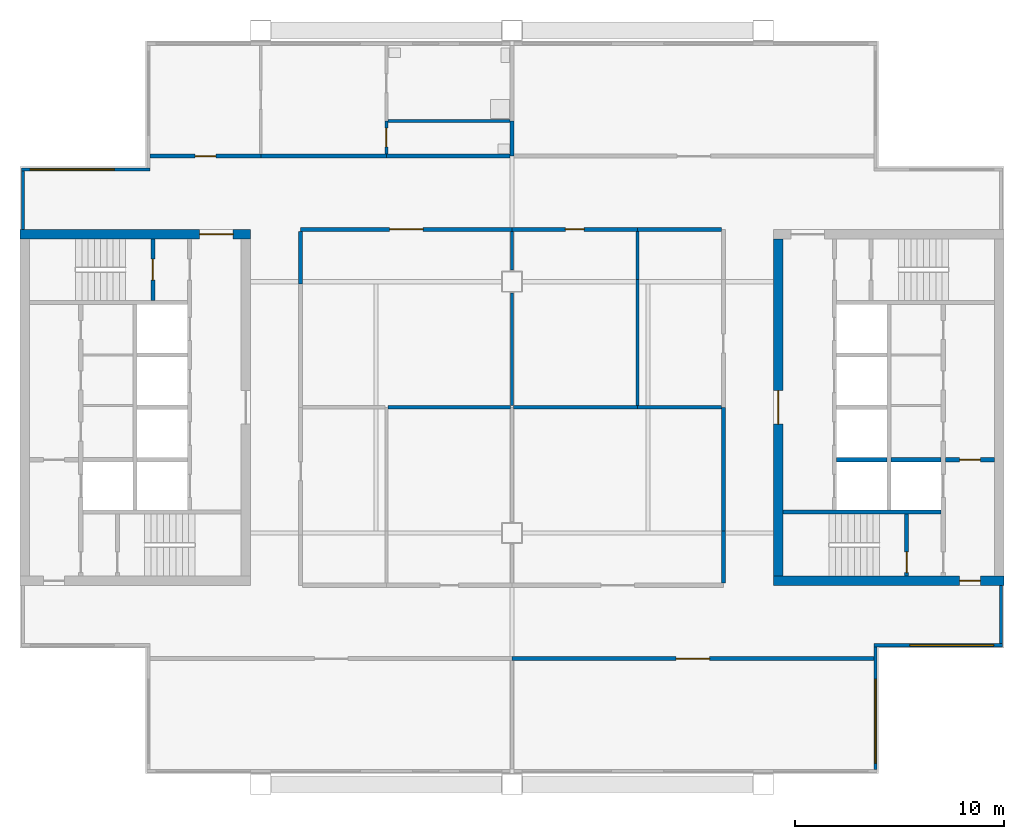
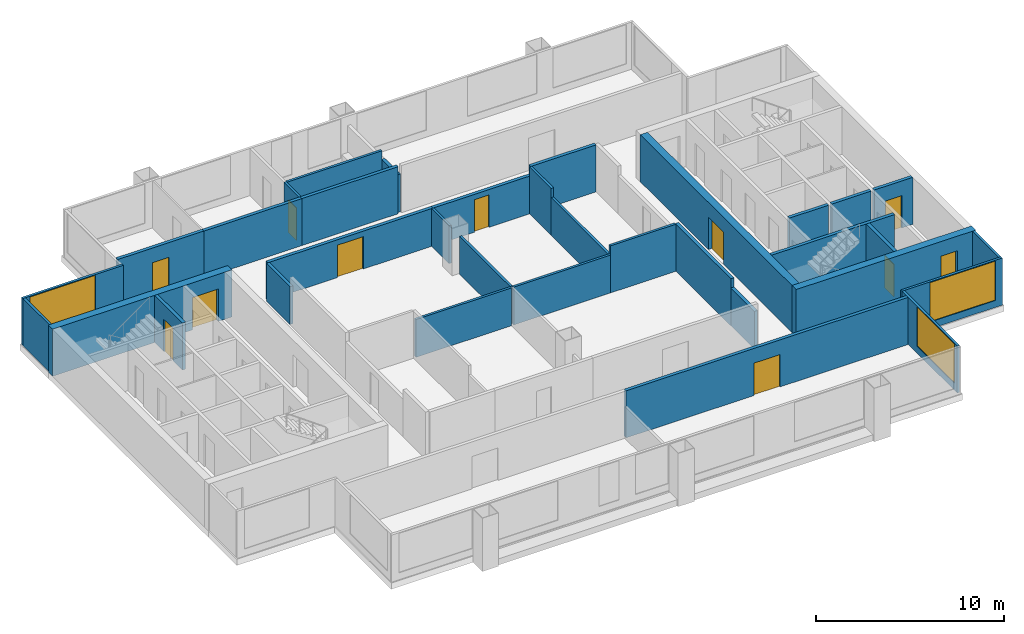
# One storey, part 3 of 7: 34 walls, 11 doors, 3 windows, 14 openings.
"""IFC4 building model written with IfcOpenShell, lengths in metres."""

from ifc_helpers import new_model, si_unit, direction, frame, frame_2d, origin, place, context, subcontext, project, spatial, rectangle, extrude, material, layer, layer_set, type_object, element, fill, save


model = new_model("IFC4")

# Units and contexts
model_context = context("Model", 3, precision=1e-05, world=origin(), true_north=direction((0.0, 1.0)))
body_context = subcontext(model_context, "Body", "Model", "MODEL_VIEW")
ifc_project = project(units=[si_unit("LENGTHUNIT", "METRE"), si_unit("AREAUNIT", "SQUARE_METRE"), si_unit("VOLUMEUNIT", "CUBIC_METRE"), si_unit("PLANEANGLEUNIT", "RADIAN"), si_unit("MASSUNIT", "GRAM", prefix="KILO")], contexts=[model_context])

# Site, building, storey
site_placement = place(None, origin())
site = spatial("IfcSite", under=ifc_project, at=site_placement, CompositionType="ELEMENT")
building_placement = place(site_placement, origin())
building = spatial("IfcBuilding", under=site, at=building_placement, Name="Kitamizu Gate Tower and Museum", CompositionType="ELEMENT")
storey_placement = place(building_placement, frame((0.0, 0.0, 269.699951171875)))
storey = spatial("IfcBuildingStorey", under=building, at=storey_placement, Name="L73", CompositionType="ELEMENT", Elevation=269.699951171875)

# Wall, opening, door
ifc_material_1 = material(Name="Concrete Fc42", Category="concrete")
ifc_layer_1 = layer(ifc_material_1, 0.449951171875)
ifc_layer_set_1 = layer_set([ifc_layer_1], Name="Concrete Fc42")
wall_type_1 = type_object("IfcWallType", Name="Core wall 450 EI 60", PredefinedType="SHEAR", material=ifc_layer_set_1)
wall_1_placement = place(storey_placement, frame((12.5, 38.27490234375, 0.0), z_axis=(0.0, 0.0, 1.0), x_axis=(1.0, 0.0, 0.0)))
wall_1 = element("IfcWall", 1, at=wall_1_placement, inside=storey, type_object=wall_type_1, Name="Core wall WN", PredefinedType="SHEAR", context=body_context, shape_type="SweptSolid", body=[
    extrude(rectangle(XDim=11.0, YDim=0.449951171875, at=frame_2d((5.5, 0.0))), origin(), (0.0, 0.0, 1.0), 3.050048828125),
])
opening_1_placement = place(wall_1_placement, frame((8.574951171875, 0.0, 0.0)))
opening_1 = element("IfcOpeningElement", 2, at=opening_1_placement, cuts=wall_1, Name="Opening L73-020", PredefinedType="OPENING", context=body_context, shape_type="SweptSolid", body=[
    extrude(rectangle(XDim=1.60009765625, YDim=2.10009765625, at=frame_2d((0.800048828125, 1.050048828125))), frame((0.0, 0.23486328125, 0.0), z_axis=(0.0, -1.0, 0.0), x_axis=(1.0, 0.0, 0.0)), (0.0, 0.0, 1.0), 0.469970703125),
])
ifc_material_2 = material(Name="Timber door set", Category="wood")
door_type_1 = type_object("IfcDoorType", Name="Entrance door 1600", OperationType="DOUBLE_DOOR_SINGLE_SWING", PredefinedType="DOOR", material=ifc_material_2)
door_1_placement = place(opening_1_placement, origin())
door_1 = element("IfcDoor", 3, at=door_1_placement, inside=storey, type_object=door_type_1, Name="Lobby door L73-020", OperationType="DOUBLE_DOOR_SINGLE_SWING", OverallHeight=2.10009765625, OverallWidth=1.60009765625, PredefinedType="DOOR", context=body_context, shape_type="SweptSolid", body=[
    extrude(rectangle(XDim=1.60009765625, YDim=2.10009765625, at=frame_2d((0.800048828125, 1.050048828125))), frame((0.0, 0.02490234375, 0.0), z_axis=(0.0, -1.0, 0.0), x_axis=(1.0, 0.0, 0.0)), (0.0, 0.0, 1.0), 0.050048828125),
])
fill(opening_1, door_1)

wall_2_placement = place(storey_placement, frame((59.5, 21.72509765625, 0.0), z_axis=(0.0, 0.0, 1.0), x_axis=(-1.0, 0.0, 0.0)))
wall_2 = element("IfcWall", 4, at=wall_2_placement, inside=storey, type_object=wall_type_1, Name="Core wall ES", PredefinedType="SHEAR", context=body_context, shape_type="SweptSolid", body=[
    extrude(rectangle(XDim=11.0, YDim=0.449951171875, at=frame_2d((5.5, 0.0))), origin(), (0.0, 0.0, 1.0), 3.050048828125),
])
opening_2_placement = place(wall_2_placement, frame((1.125, 0.0, 0.0)))
opening_2 = element("IfcOpeningElement", 5, at=opening_2_placement, cuts=wall_2, Name="Opening L73-030", PredefinedType="OPENING", context=body_context, shape_type="SweptSolid", body=[
    extrude(rectangle(XDim=1.0, YDim=2.10009765625, at=frame_2d((0.5, 1.050048828125))), frame((0.0, 0.23486328125, 0.0), z_axis=(0.0, -1.0, 0.0), x_axis=(1.0, 0.0, 0.0)), (0.0, 0.0, 1.0), 0.469970703125),
])
ifc_material_3 = material(Name="Hollow metal door set")
door_type_2 = type_object("IfcDoorType", Name="Fire door 1000", OperationType="NOTDEFINED", PredefinedType="DOOR", material=ifc_material_3)
door_2_placement = place(opening_2_placement, frame((1.0, 0.0, 0.0), x_axis=(-1.0, 0.0, 0.0)))
door_2 = element("IfcDoor", 6, at=door_2_placement, inside=storey, type_object=door_type_2, Name="Fire-fighting lobby door L73-030", OperationType="SINGLE_SWING_LEFT", OverallHeight=2.10009765625, OverallWidth=1.0, PredefinedType="DOOR", context=body_context, shape_type="SweptSolid", body=[
    extrude(rectangle(XDim=1.0, YDim=2.10009765625, at=frame_2d((0.5, 1.050048828125))), frame((0.0, 0.02490234375, 0.0), z_axis=(0.0, -1.0, 0.0), x_axis=(1.0, 0.0, 0.0)), (0.0, 0.0, 1.0), 0.050048828125),
])
fill(opening_2, door_2)

wall_3_placement = place(storey_placement, frame((48.72509765625, 21.949951171875, 0.0), z_axis=(0.0, 0.0, 1.0), x_axis=(0.0, 1.0, 0.0)))
wall_3 = element("IfcWall", 7, at=wall_3_placement, inside=storey, type_object=wall_type_1, Name="Core wall EARC", PredefinedType="SHEAR", context=body_context, shape_type="SweptSolid", body=[
    extrude(rectangle(XDim=16.10009765625, YDim=0.449951171875, at=frame_2d((8.050048828125, 0.0))), origin(), (0.0, 0.0, 1.0), 3.050048828125),
])
opening_3_placement = place(wall_3_placement, frame((7.25, 0.0, 0.0)))
opening_3 = element("IfcOpeningElement", 8, at=opening_3_placement, cuts=wall_3, Name="Opening L73-032", PredefinedType="OPENING", context=body_context, shape_type="SweptSolid", body=[
    extrude(rectangle(XDim=1.60009765625, YDim=2.10009765625, at=frame_2d((0.800048828125, 1.050048828125))), frame((0.0, 0.23486328125, 0.0), z_axis=(0.0, -1.0, 0.0), x_axis=(1.0, 0.0, 0.0)), (0.0, 0.0, 1.0), 0.469970703125),
])
door_3_placement = place(opening_3_placement, origin())
door_3 = element("IfcDoor", 9, at=door_3_placement, inside=storey, type_object=door_type_1, Name="Lobby door L73-032", OperationType="DOUBLE_DOOR_SINGLE_SWING", OverallHeight=2.10009765625, OverallWidth=1.60009765625, PredefinedType="DOOR", context=body_context, shape_type="SweptSolid", body=[
    extrude(rectangle(XDim=1.60009765625, YDim=2.10009765625, at=frame_2d((0.800048828125, 1.050048828125))), frame((0.0, 0.02490234375, 0.0), z_axis=(0.0, -1.0, 0.0), x_axis=(1.0, 0.0, 0.0)), (0.0, 0.0, 1.0), 0.050048828125),
])
fill(opening_3, door_3)

ifc_material_4 = material(Name="Gypsum board on galvanised stud")
ifc_layer_2 = layer(ifc_material_4, 0.14990234375)
ifc_layer_set_2 = layer_set([ifc_layer_2], Name="Gypsum board on galvanised stud")
wall_type_2 = type_object("IfcWallType", Name="Partition 150", PredefinedType="PARTITIONING", material=ifc_layer_set_2)
wall_4_placement = place(storey_placement, frame((30.0, 42.10009765625, 0.0), z_axis=(0.0, 0.0, 1.0), x_axis=(0.0, 1.0, 0.0)))
wall_4 = element("IfcWall", 10, at=wall_4_placement, inside=storey, type_object=wall_type_2, Name="Partition L73-004", PredefinedType="PARTITIONING", context=body_context, shape_type="SweptSolid", body=[
    extrude(rectangle(XDim=1.579833984375, YDim=0.14990234375, at=frame_2d((0.7900390625, 0.0))), origin(), (0.0, 0.0, 1.0), 3.050048828125),
])
opening_4_placement = place(wall_4_placement, frame((0.340087890625, 0.0, 0.0)))
opening_4 = element("IfcOpeningElement", 11, at=opening_4_placement, cuts=wall_4, Name="Opening L73-004", PredefinedType="OPENING", context=body_context, shape_type="SweptSolid", body=[
    extrude(rectangle(XDim=0.89990234375, YDim=2.10009765625, at=frame_2d((0.449951171875, 1.050048828125))), frame((0.0, 0.0849609375, 0.0), z_axis=(0.0, -1.0, 0.0), x_axis=(1.0, 0.0, 0.0)), (0.0, 0.0, 1.0), 0.169921875),
])
ifc_material_5 = material(Name="Timber door set", Category="wood")
door_type_3 = type_object("IfcDoorType", Name="Bathroom door 900", OperationType="NOTDEFINED", PredefinedType="DOOR", material=ifc_material_5)
door_4_placement = place(opening_4_placement, frame((0.89990234375, 0.0, 0.0), x_axis=(-1.0, 0.0, 0.0)))
door_4 = element("IfcDoor", 12, at=door_4_placement, inside=storey, type_object=door_type_3, Name="Bathroom door L73-004", OperationType="SINGLE_SWING_RIGHT", OverallHeight=2.10009765625, OverallWidth=0.89990234375, PredefinedType="DOOR", context=body_context, shape_type="SweptSolid", body=[
    extrude(rectangle(XDim=0.89990234375, YDim=2.10009765625, at=frame_2d((0.449951171875, 1.050048828125))), frame((0.0, 0.02490234375, 0.0), z_axis=(0.0, -1.0, 0.0), x_axis=(1.0, 0.0, 0.0)), (0.0, 0.0, 1.0), 0.050048828125),
])
fill(opening_4, door_4)

# Walls
wall_5_placement = place(storey_placement, frame((30.074951171875, 43.679931640625, 0.0), z_axis=(0.0, 0.0, 1.0), x_axis=(1.0, 0.0, 0.0)))
element("IfcWall", 13, at=wall_5_placement, inside=storey, type_object=wall_type_2, Name="Partition L73-006", PredefinedType="PARTITIONING", context=body_context, shape_type="SweptSolid", body=[
    extrude(rectangle(XDim=5.824951171875, YDim=0.14990234375, at=frame_2d((2.91259765625, 0.0))), origin(), (0.0, 0.0, 1.0), 3.050048828125),
])
wall_6_placement = place(storey_placement, frame((35.925048828125, 30.0, 0.0), z_axis=(0.0, 0.0, 1.0), x_axis=(-1.0, 0.0, 0.0)))
element("IfcWall", 14, at=wall_6_placement, inside=storey, type_object=wall_type_2, Name="Partition L73-033", PredefinedType="PARTITIONING", context=body_context, shape_type="SweptSolid", body=[
    extrude(rectangle(XDim=5.85009765625, YDim=0.14990234375, at=frame_2d((2.925048828125, 0.0))), origin(), (0.0, 0.0, 1.0), 2.449951171875),
])
wall_7_placement = place(storey_placement, frame((42.0, 30.0, 0.0), z_axis=(0.0, 0.0, 1.0), x_axis=(-1.0, 0.0, 0.0)))
element("IfcWall", 15, at=wall_7_placement, inside=storey, type_object=wall_type_2, Name="Partition L73-034", PredefinedType="PARTITIONING", context=body_context, shape_type="SweptSolid", body=[
    extrude(rectangle(XDim=5.925048828125, YDim=0.14990234375, at=frame_2d((2.96240234375, 0.0))), origin(), (0.0, 0.0, 1.0), 2.449951171875),
])
wall_8_placement = place(storey_placement, frame((46.0, 30.0, 0.0), z_axis=(0.0, 0.0, 1.0), x_axis=(-1.0, 0.0, 0.0)))
element("IfcWall", 16, at=wall_8_placement, inside=storey, type_object=wall_type_2, Name="Partition L73-035", PredefinedType="PARTITIONING", context=body_context, shape_type="SweptSolid", body=[
    extrude(rectangle(XDim=4.0, YDim=0.14990234375, at=frame_2d((2.0, 0.0))), origin(), (0.0, 0.0, 1.0), 3.050048828125),
])
wall_9_placement = place(storey_placement, frame((36.0, 30.074951171875, 0.0), z_axis=(0.0, 0.0, 1.0), x_axis=(0.0, 1.0, 0.0)))
element("IfcWall", 17, at=wall_9_placement, inside=storey, type_object=wall_type_2, Name="Partition L73-036", PredefinedType="PARTITIONING", context=body_context, shape_type="SweptSolid", body=[
    extrude(rectangle(XDim=5.375, YDim=0.14990234375, at=frame_2d((2.6875, 0.0))), origin(), (0.0, 0.0, 1.0), 2.449951171875),
])
wall_10_placement = place(storey_placement, frame((36.0, 36.550048828125, 0.0), z_axis=(0.0, 0.0, 1.0), x_axis=(0.0, 1.0, 0.0)))
element("IfcWall", 18, at=wall_10_placement, inside=storey, type_object=wall_type_2, Name="Partition L73-037", PredefinedType="PARTITIONING", context=body_context, shape_type="SweptSolid", body=[
    extrude(rectangle(XDim=1.849853515625, YDim=0.14990234375, at=frame_2d((0.9248046875, 0.0))), origin(), (0.0, 0.0, 1.0), 2.449951171875),
])
wall_11_placement = place(storey_placement, frame((42.0, 30.074951171875, 0.0), z_axis=(0.0, 0.0, 1.0), x_axis=(0.0, 1.0, 0.0)))
element("IfcWall", 19, at=wall_11_placement, inside=storey, type_object=wall_type_2, Name="Partition L73-038", PredefinedType="PARTITIONING", context=body_context, shape_type="SweptSolid", body=[
    extrude(rectangle(XDim=6.025146484375, YDim=0.14990234375, at=frame_2d((3.0126953125, 0.0))), origin(), (0.0, 0.0, 1.0), 2.449951171875),
])
wall_12_placement = place(storey_placement, frame((42.0, 36.10009765625, 0.0), z_axis=(0.0, 0.0, 1.0), x_axis=(0.0, 1.0, 0.0)))
element("IfcWall", 20, at=wall_12_placement, inside=storey, type_object=wall_type_2, Name="Partition L73-039", PredefinedType="PARTITIONING", context=body_context, shape_type="SweptSolid", body=[
    extrude(rectangle(XDim=2.2998046875, YDim=0.14990234375, at=frame_2d((1.14990234375, 0.0))), origin(), (0.0, 0.0, 1.0), 3.050048828125),
])

# Wall, opening, door
ifc_material_6 = material(Name="Gypsum board on galvanised stud")
ifc_layer_3 = layer(ifc_material_6, 0.199951171875)
ifc_layer_set_3 = layer_set([ifc_layer_3], Name="Gypsum board on galvanised stud")
wall_type_3 = type_object("IfcWallType", Name="Partition 200", PredefinedType="PARTITIONING", material=ifc_layer_set_3)
wall_13_placement = place(storey_placement, frame((18.719970703125, 42.0, 0.0), z_axis=(0.0, 0.0, 1.0), x_axis=(1.0, 0.0, 0.0)))
wall_13 = element("IfcWall", 21, at=wall_13_placement, inside=storey, type_object=wall_type_3, Name="Partition L73-002", PredefinedType="PARTITIONING", context=body_context, shape_type="SweptSolid", body=[
    extrude(rectangle(XDim=5.280029296875, YDim=0.199951171875, at=frame_2d((2.64013671875, 0.0))), origin(), (0.0, 0.0, 1.0), 3.050048828125),
])
opening_5_placement = place(wall_13_placement, frame((2.139892578125, 0.0, 0.0)))
opening_5 = element("IfcOpeningElement", 22, at=opening_5_placement, cuts=wall_13, Name="Opening L73-001", PredefinedType="OPENING", context=body_context, shape_type="SweptSolid", body=[
    extrude(rectangle(XDim=1.0, YDim=2.10009765625, at=frame_2d((0.5, 1.050048828125))), frame((0.0, 0.10986328125, 0.0), z_axis=(0.0, -1.0, 0.0), x_axis=(1.0, 0.0, 0.0)), (0.0, 0.0, 1.0), 0.219970703125),
])
ifc_material_7 = material(Name="Timber door set", Category="wood")
door_type_4 = type_object("IfcDoorType", Name="Flat entrance door 1000", OperationType="NOTDEFINED", PredefinedType="DOOR", material=ifc_material_7)
door_5_placement = place(opening_5_placement, origin())
door_5 = element("IfcDoor", 23, at=door_5_placement, inside=storey, type_object=door_type_4, Name="Flat entrance door L73-001", OperationType="SINGLE_SWING_RIGHT", OverallHeight=2.10009765625, OverallWidth=1.0, PredefinedType="DOOR", context=body_context, shape_type="SweptSolid", body=[
    extrude(rectangle(XDim=1.0, YDim=2.10009765625, at=frame_2d((0.5, 1.050048828125))), frame((0.0, 0.02490234375, 0.0), z_axis=(0.0, -1.0, 0.0), x_axis=(1.0, 0.0, 0.0)), (0.0, 0.0, 1.0), 0.050048828125),
])
fill(opening_5, door_5)

# Walls
wall_14_placement = place(storey_placement, frame((24.0, 42.0, 0.0), z_axis=(0.0, 0.0, 1.0), x_axis=(1.0, 0.0, 0.0)))
element("IfcWall", 24, at=wall_14_placement, inside=storey, type_object=wall_type_3, Name="Partition L73-005", PredefinedType="PARTITIONING", context=body_context, shape_type="SweptSolid", body=[
    extrude(rectangle(XDim=6.0, YDim=0.199951171875, at=frame_2d((3.0, 0.0))), origin(), (0.0, 0.0, 1.0), 3.050048828125),
])
wall_15_placement = place(storey_placement, frame((36.0, 42.0, 0.0), z_axis=(0.0, 0.0, 1.0), x_axis=(0.0, 1.0, 0.0)))
element("IfcWall", 25, at=wall_15_placement, inside=storey, type_object=wall_type_3, Name="Partition L73-008", PredefinedType="PARTITIONING", context=body_context, shape_type="SweptSolid", body=[
    extrude(rectangle(XDim=1.679931640625, YDim=0.199951171875, at=frame_2d((0.83984375, 0.0))), origin(), (0.0, 0.0, 1.0), 2.449951171875),
])
wall_16_placement = place(storey_placement, frame((30.0, 42.0, 0.0), z_axis=(0.0, 0.0, 1.0), x_axis=(1.0, 0.0, 0.0)))
element("IfcWall", 26, at=wall_16_placement, inside=storey, type_object=wall_type_3, Name="Partition L73-009", PredefinedType="PARTITIONING", context=body_context, shape_type="SweptSolid", body=[
    extrude(rectangle(XDim=5.89990234375, YDim=0.199951171875, at=frame_2d((2.949951171875, 0.0))), origin(), (0.0, 0.0, 1.0), 3.050048828125),
])

# Wall, opening, door
wall_17_placement = place(storey_placement, frame((53.280029296875, 18.0, 0.0), z_axis=(0.0, 0.0, 1.0), x_axis=(-1.0, 0.0, 0.0)))
wall_17 = element("IfcWall", 27, at=wall_17_placement, inside=storey, type_object=wall_type_3, Name="Partition L73-013", PredefinedType="PARTITIONING", context=body_context, shape_type="SweptSolid", body=[
    extrude(rectangle(XDim=17.280029296875, YDim=0.199951171875, at=frame_2d((8.64013671875, 0.0))), origin(), (0.0, 0.0, 1.0), 3.050048828125),
])
opening_6_placement = place(wall_17_placement, frame((7.840087890625, 0.0, 0.0)))
opening_6 = element("IfcOpeningElement", 28, at=opening_6_placement, cuts=wall_17, Name="Opening L73-007", PredefinedType="OPENING", context=body_context, shape_type="SweptSolid", body=[
    extrude(rectangle(XDim=1.60009765625, YDim=2.10009765625, at=frame_2d((0.800048828125, 1.050048828125))), frame((0.0, 0.10986328125, 0.0), z_axis=(0.0, -1.0, 0.0), x_axis=(1.0, 0.0, 0.0)), (0.0, 0.0, 1.0), 0.219970703125),
])
ifc_material_8 = material(Name="Timber door set", Category="wood")
door_type_5 = type_object("IfcDoorType", Name="Double door 1600", OperationType="DOUBLE_DOOR_SINGLE_SWING", PredefinedType="DOOR", material=ifc_material_8)
door_6_placement = place(opening_6_placement, origin())
door_6 = element("IfcDoor", 29, at=door_6_placement, inside=storey, type_object=door_type_5, Name="Double door L73-007", OperationType="DOUBLE_DOOR_SINGLE_SWING", OverallHeight=2.10009765625, OverallWidth=1.60009765625, PredefinedType="DOOR", context=body_context, shape_type="SweptSolid", body=[
    extrude(rectangle(XDim=1.60009765625, YDim=2.10009765625, at=frame_2d((0.800048828125, 1.050048828125))), frame((0.0, 0.02490234375, 0.0), z_axis=(0.0, -1.0, 0.0), x_axis=(1.0, 0.0, 0.0)), (0.0, 0.0, 1.0), 0.050048828125),
])
fill(opening_6, door_6)

# Walls
wall_18_placement = place(storey_placement, frame((46.10009765625, 21.60009765625, 0.0), z_axis=(0.0, 0.0, 1.0), x_axis=(0.0, 1.0, 0.0)))
element("IfcWall", 30, at=wall_18_placement, inside=storey, type_object=wall_type_3, Name="Partition L73-019", PredefinedType="PARTITIONING", context=body_context, shape_type="SweptSolid", body=[
    extrude(rectangle(XDim=2.5, YDim=0.199951171875, at=frame_2d((1.25, 0.0))), origin(), (0.0, 0.0, 1.0), 2.449951171875),
])
wall_19_placement = place(storey_placement, frame((46.10009765625, 24.10009765625, 0.0), z_axis=(0.0, 0.0, 1.0), x_axis=(0.0, 1.0, 0.0)))
element("IfcWall", 31, at=wall_19_placement, inside=storey, type_object=wall_type_3, Name="Partition L73-020", PredefinedType="PARTITIONING", context=body_context, shape_type="SweptSolid", body=[
    extrude(rectangle(XDim=5.89990234375, YDim=0.199951171875, at=frame_2d((2.949951171875, 0.0))), origin(), (0.0, 0.0, 1.0), 3.050048828125),
])

# Wall, opening, door
wall_20_placement = place(storey_placement, frame((36.0, 38.5, 0.0), z_axis=(0.0, 0.0, 1.0), x_axis=(-1.0, 0.0, 0.0)))
wall_20 = element("IfcWall", 32, at=wall_20_placement, inside=storey, type_object=wall_type_3, Name="Partition L73-021", PredefinedType="PARTITIONING", context=body_context, shape_type="SweptSolid", body=[
    extrude(rectangle(XDim=10.10009765625, YDim=0.199951171875, at=frame_2d((5.050048828125, 0.0))), origin(), (0.0, 0.0, 1.0), 2.449951171875),
])
opening_7_placement = place(wall_20_placement, frame((4.25, 0.0, 0.0)))
opening_7 = element("IfcOpeningElement", 33, at=opening_7_placement, cuts=wall_20, Name="Opening L73-011", PredefinedType="OPENING", context=body_context, shape_type="SweptSolid", body=[
    extrude(rectangle(XDim=1.60009765625, YDim=2.10009765625, at=frame_2d((0.800048828125, 1.050048828125))), frame((0.0, 0.10986328125, 0.0), z_axis=(0.0, -1.0, 0.0), x_axis=(1.0, 0.0, 0.0)), (0.0, 0.0, 1.0), 0.219970703125),
])
door_7_placement = place(opening_7_placement, origin())
door_7 = element("IfcDoor", 34, at=door_7_placement, inside=storey, type_object=door_type_5, Name="Double door L73-011", OperationType="DOUBLE_DOOR_SINGLE_SWING", OverallHeight=2.10009765625, OverallWidth=1.60009765625, PredefinedType="DOOR", context=body_context, shape_type="SweptSolid", body=[
    extrude(rectangle(XDim=1.60009765625, YDim=2.10009765625, at=frame_2d((0.800048828125, 1.050048828125))), frame((0.0, 0.02490234375, 0.0), z_axis=(0.0, -1.0, 0.0), x_axis=(1.0, 0.0, 0.0)), (0.0, 0.0, 1.0), 0.050048828125),
])
fill(opening_7, door_7)

# Wall
wall_21_placement = place(storey_placement, frame((25.89990234375, 38.39990234375, 0.0), z_axis=(0.0, 0.0, 1.0), x_axis=(0.0, -1.0, 0.0)))
element("IfcWall", 35, at=wall_21_placement, inside=storey, type_object=wall_type_3, Name="Partition L73-022", PredefinedType="PARTITIONING", context=body_context, shape_type="SweptSolid", body=[
    extrude(rectangle(XDim=2.5, YDim=0.199951171875, at=frame_2d((1.25, 0.0))), origin(), (0.0, 0.0, 1.0), 2.449951171875),
])

# Wall, opening, door
wall_22_placement = place(storey_placement, frame((42.0, 38.5, 0.0), z_axis=(0.0, 0.0, 1.0), x_axis=(-1.0, 0.0, 0.0)))
wall_22 = element("IfcWall", 36, at=wall_22_placement, inside=storey, type_object=wall_type_3, Name="Partition L73-024", PredefinedType="PARTITIONING", context=body_context, shape_type="SweptSolid", body=[
    extrude(rectangle(XDim=6.0, YDim=0.199951171875, at=frame_2d((3.0, 0.0))), origin(), (0.0, 0.0, 1.0), 2.449951171875),
])
opening_8_placement = place(wall_22_placement, frame((2.550048828125, 0.0, 0.0)))
opening_8 = element("IfcOpeningElement", 37, at=opening_8_placement, cuts=wall_22, Name="Opening L73-012", PredefinedType="OPENING", context=body_context, shape_type="SweptSolid", body=[
    extrude(rectangle(XDim=0.89990234375, YDim=2.10009765625, at=frame_2d((0.449951171875, 1.050048828125))), frame((0.0, 0.10986328125, 0.0), z_axis=(0.0, -1.0, 0.0), x_axis=(1.0, 0.0, 0.0)), (0.0, 0.0, 1.0), 0.219970703125),
])
ifc_material_9 = material(Name="Timber door set", Category="wood")
door_type_6 = type_object("IfcDoorType", Name="Room door 900", OperationType="NOTDEFINED", PredefinedType="DOOR", material=ifc_material_9)
door_8_placement = place(opening_8_placement, origin())
door_8 = element("IfcDoor", 38, at=door_8_placement, inside=storey, type_object=door_type_6, Name="Door L73-012", OperationType="SINGLE_SWING_RIGHT", OverallHeight=2.10009765625, OverallWidth=0.89990234375, PredefinedType="DOOR", context=body_context, shape_type="SweptSolid", body=[
    extrude(rectangle(XDim=0.89990234375, YDim=2.10009765625, at=frame_2d((0.449951171875, 1.050048828125))), frame((0.0, 0.02490234375, 0.0), z_axis=(0.0, -1.0, 0.0), x_axis=(1.0, 0.0, 0.0)), (0.0, 0.0, 1.0), 0.050048828125),
])
fill(opening_8, door_8)

# Wall
wall_23_placement = place(storey_placement, frame((46.0, 38.5, 0.0), z_axis=(0.0, 0.0, 1.0), x_axis=(-1.0, 0.0, 0.0)))
element("IfcWall", 39, at=wall_23_placement, inside=storey, type_object=wall_type_3, Name="Partition L73-027", PredefinedType="PARTITIONING", context=body_context, shape_type="SweptSolid", body=[
    extrude(rectangle(XDim=4.0, YDim=0.199951171875, at=frame_2d((2.0, 0.0))), origin(), (0.0, 0.0, 1.0), 3.050048828125),
])

# Wall, opening, door
ifc_material_10 = material(Name="Concrete Fc42", Category="concrete")
ifc_layer_4 = layer(ifc_material_10, 0.199951171875)
ifc_layer_set_4 = layer_set([ifc_layer_4], Name="Concrete Fc42")
wall_type_4 = type_object("IfcWallType", Name="Shaft wall 200", PredefinedType="SOLIDWALL", material=ifc_layer_set_4)
wall_24_placement = place(storey_placement, frame((18.85009765625, 35.10009765625, 0.0), z_axis=(0.0, 0.0, 1.0), x_axis=(0.0, 1.0, 0.0)))
wall_24 = element("IfcWall", 40, at=wall_24_placement, inside=storey, type_object=wall_type_4, Name="Shaft wall WNZ", PredefinedType="SOLIDWALL", context=body_context, shape_type="SweptSolid", body=[
    extrude(rectangle(XDim=2.949951171875, YDim=0.199951171875, at=frame_2d((1.47509765625, 0.0))), origin(), (0.0, 0.0, 1.0), 3.050048828125),
])
opening_9_placement = place(wall_24_placement, frame((0.97509765625, 0.0, 0.0)))
opening_9 = element("IfcOpeningElement", 41, at=opening_9_placement, cuts=wall_24, Name="Opening L73-017", PredefinedType="OPENING", context=body_context, shape_type="SweptSolid", body=[
    extrude(rectangle(XDim=1.0, YDim=2.10009765625, at=frame_2d((0.5, 1.050048828125))), frame((0.0, 0.10986328125, 0.0), z_axis=(0.0, -1.0, 0.0), x_axis=(1.0, 0.0, 0.0)), (0.0, 0.0, 1.0), 0.219970703125),
])
door_9_placement = place(opening_9_placement, origin())
door_9 = element("IfcDoor", 42, at=door_9_placement, inside=storey, type_object=door_type_2, Name="Stair door L73-017", OperationType="SINGLE_SWING_LEFT", OverallHeight=2.10009765625, OverallWidth=1.0, PredefinedType="DOOR", context=body_context, shape_type="SweptSolid", body=[
    extrude(rectangle(XDim=1.0, YDim=2.10009765625, at=frame_2d((0.5, 1.050048828125))), frame((0.0, 0.02490234375, 0.0), z_axis=(0.0, -1.0, 0.0), x_axis=(1.0, 0.0, 0.0)), (0.0, 0.0, 1.0), 0.050048828125),
])
fill(opening_9, door_9)

# Wall
wall_25_placement = place(storey_placement, frame((56.5, 25.0, 0.0), z_axis=(0.0, 0.0, 1.0), x_axis=(-1.0, 0.0, 0.0)))
element("IfcWall", 43, at=wall_25_placement, inside=storey, type_object=wall_type_4, Name="Shaft wall ESB", PredefinedType="SOLIDWALL", context=body_context, shape_type="SweptSolid", body=[
    extrude(rectangle(XDim=7.550048828125, YDim=0.199951171875, at=frame_2d((3.77490234375, 0.0))), origin(), (0.0, 0.0, 1.0), 3.050048828125),
])

# Wall, opening, door
wall_26_placement = place(storey_placement, frame((59.050048828125, 27.5, 0.0), z_axis=(0.0, 0.0, 1.0), x_axis=(-1.0, 0.0, 0.0)))
wall_26 = element("IfcWall", 44, at=wall_26_placement, inside=storey, type_object=wall_type_4, Name="Shaft wall EFFN", PredefinedType="SOLIDWALL", context=body_context, shape_type="SweptSolid", body=[
    extrude(rectangle(XDim=2.35009765625, YDim=0.199951171875, at=frame_2d((1.175048828125, 0.0))), origin(), (0.0, 0.0, 1.0), 3.050048828125),
])
opening_10_placement = place(wall_26_placement, frame((0.675048828125, 0.0, 0.0)))
opening_10 = element("IfcOpeningElement", 45, at=opening_10_placement, cuts=wall_26, Name="Opening L73-029", PredefinedType="OPENING", context=body_context, shape_type="SweptSolid", body=[
    extrude(rectangle(XDim=1.0, YDim=2.10009765625, at=frame_2d((0.5, 1.050048828125))), frame((0.0, 0.10986328125, 0.0), z_axis=(0.0, -1.0, 0.0), x_axis=(1.0, 0.0, 0.0)), (0.0, 0.0, 1.0), 0.219970703125),
])
door_10_placement = place(opening_10_placement, origin())
door_10 = element("IfcDoor", 46, at=door_10_placement, inside=storey, type_object=door_type_2, Name="Fire-fighting lobby door L73-029", OperationType="SINGLE_SWING_LEFT", OverallHeight=2.10009765625, OverallWidth=1.0, PredefinedType="DOOR", context=body_context, shape_type="SweptSolid", body=[
    extrude(rectangle(XDim=1.0, YDim=2.10009765625, at=frame_2d((0.5, 1.050048828125))), frame((0.0, 0.02490234375, 0.0), z_axis=(0.0, -1.0, 0.0), x_axis=(1.0, 0.0, 0.0)), (0.0, 0.0, 1.0), 0.050048828125),
])
fill(opening_10, door_10)

wall_27_placement = place(storey_placement, frame((54.85009765625, 21.949951171875, 0.0), z_axis=(0.0, 0.0, 1.0), x_axis=(0.0, 1.0, 0.0)))
wall_27 = element("IfcWall", 47, at=wall_27_placement, inside=storey, type_object=wall_type_4, Name="Shaft wall ESZ", PredefinedType="SOLIDWALL", context=body_context, shape_type="SweptSolid", body=[
    extrude(rectangle(XDim=2.949951171875, YDim=0.199951171875, at=frame_2d((1.47509765625, 0.0))), origin(), (0.0, 0.0, 1.0), 3.050048828125),
])
opening_11_placement = place(wall_27_placement, frame((0.14990234375, 0.0, 0.0)))
opening_11 = element("IfcOpeningElement", 48, at=opening_11_placement, cuts=wall_27, Name="Opening L73-025", PredefinedType="OPENING", context=body_context, shape_type="SweptSolid", body=[
    extrude(rectangle(XDim=1.0, YDim=2.10009765625, at=frame_2d((0.5, 1.050048828125))), frame((0.0, 0.10986328125, 0.0), z_axis=(0.0, -1.0, 0.0), x_axis=(1.0, 0.0, 0.0)), (0.0, 0.0, 1.0), 0.219970703125),
])
door_11_placement = place(opening_11_placement, origin())
door_11 = element("IfcDoor", 49, at=door_11_placement, inside=storey, type_object=door_type_2, Name="Stair door L73-025", OperationType="SINGLE_SWING_RIGHT", OverallHeight=2.10009765625, OverallWidth=1.0, PredefinedType="DOOR", context=body_context, shape_type="SweptSolid", body=[
    extrude(rectangle(XDim=1.0, YDim=2.10009765625, at=frame_2d((0.5, 1.050048828125))), frame((0.0, 0.02490234375, 0.0), z_axis=(0.0, -1.0, 0.0), x_axis=(1.0, 0.0, 0.0)), (0.0, 0.0, 1.0), 0.050048828125),
])
fill(opening_11, door_11)

# Walls
for number, where, z_axis, x_axis, name in (
    (50, (56.5, 27.5, 0.0), (0.0, 0.0, 1.0), (-1.0, 0.0, 0.0), "Shaft wall EDVW0"),
    (51, (53.89990234375, 27.5, 0.0), (0.0, 0.0, 1.0), (-1.0, 0.0, 0.0), "Shaft wall EDVE0"),
):
    element("IfcWall", number, at=place(storey_placement, frame(where, z_axis=z_axis, x_axis=x_axis)), inside=storey, type_object=wall_type_4, Name=name, PredefinedType="SOLIDWALL", context=body_context, shape_type="SweptSolid", body=[
        extrude(rectangle(XDim=2.39990234375, YDim=0.199951171875, at=frame_2d((1.199951171875, 0.0))), origin(), (0.0, 0.0, 1.0), 3.050048828125),
    ])

# Wall, opening, window
ifc_material_11 = material(Name="Bronze anodised aluminium frame with insulated spandrel and tinted glass", Category="aluminium")
ifc_layer_5 = layer(ifc_material_11, 0.14990234375)
ifc_layer_set_5 = layer_set([ifc_layer_5], Name="Bronze anodised aluminium frame with insulated spandrel and tinted glass")
wall_type_5 = type_object("IfcWallType", Name="WINDOW WALL 150 BRONZE FRAME EI 30", PredefinedType="ELEMENTEDWALL", material=ifc_layer_set_5)
wall_28_placement = place(storey_placement, frame((53.364990234375, 12.7099609375, 0.0), z_axis=(0.0, 0.0, 1.0), x_axis=(0.0, 1.0, 0.0)))
wall_28 = element("IfcWall", 52, at=wall_28_placement, inside=storey, type_object=wall_type_5, Name="Window wall east L73", PredefinedType="ELEMENTEDWALL", context=body_context, shape_type="SweptSolid", body=[
    extrude(rectangle(XDim=5.85009765625, YDim=0.14990234375, at=frame_2d((2.925048828125, 0.0))), origin(), (0.0, 0.0, 1.0), 3.050048828125),
])
opening_12_placement = place(wall_28_placement, frame((0.2900390625, 0.0, 0.449951171875)))
opening_12 = element("IfcOpeningElement", 53, at=opening_12_placement, cuts=wall_28, Name="Opening W16", PredefinedType="OPENING", context=body_context, shape_type="SweptSolid", body=[
    extrude(rectangle(XDim=4.0, YDim=2.550048828125, at=frame_2d((2.0, 1.27490234375))), frame((0.0, 0.0849609375, 0.0), z_axis=(0.0, -1.0, 0.0), x_axis=(1.0, 0.0, 0.0)), (0.0, 0.0, 1.0), 0.169921875),
])
ifc_material_12 = material(Name="Bronze anodised aluminium frame, tinted triple glazing", Category="aluminium")
window_type = type_object("IfcWindowType", Name="WINDOW 4000 x 2550 SILL 450", PartitioningType="SINGLE_PANEL", PredefinedType="WINDOW", material=ifc_material_12)
window_1_placement = place(opening_12_placement, origin())
window_1 = element("IfcWindow", 54, at=window_1_placement, inside=storey, type_object=window_type, Name="Window W16 L73", OverallHeight=2.550048828125, OverallWidth=4.0, PartitioningType="SINGLE_PANEL", PredefinedType="WINDOW", context=body_context, shape_type="SweptSolid", body=[
    extrude(rectangle(XDim=4.0, YDim=2.550048828125, at=frame_2d((2.0, 1.27490234375))), frame((0.0, 0.030029296875, 0.0), z_axis=(0.0, -1.0, 0.0), x_axis=(1.0, 0.0, 0.0)), (0.0, 0.0, 1.0), 0.06005859375),
])
fill(opening_12, window_1)

wall_29_placement = place(storey_placement, frame((53.2900390625, 18.635009765625, 0.0), z_axis=(0.0, 0.0, 1.0), x_axis=(1.0, 0.0, 0.0)))
wall_29 = element("IfcWall", 55, at=wall_29_placement, inside=storey, type_object=wall_type_5, Name="Window wall south L73", PredefinedType="ELEMENTEDWALL", context=body_context, shape_type="SweptSolid", body=[
    extrude(rectangle(XDim=6.14990234375, YDim=0.14990234375, at=frame_2d((3.074951171875, 0.0))), origin(), (0.0, 0.0, 1.0), 3.050048828125),
])
opening_13_placement = place(wall_29_placement, frame((1.7099609375, 0.0, 0.449951171875)))
opening_13 = element("IfcOpeningElement", 56, at=opening_13_placement, cuts=wall_29, Name="Opening W16", PredefinedType="OPENING", context=body_context, shape_type="SweptSolid", body=[
    extrude(rectangle(XDim=4.0, YDim=2.550048828125, at=frame_2d((2.0, 1.27490234375))), frame((0.0, 0.0849609375, 0.0), z_axis=(0.0, -1.0, 0.0), x_axis=(1.0, 0.0, 0.0)), (0.0, 0.0, 1.0), 0.169921875),
])
window_2_placement = place(opening_13_placement, origin())
window_2 = element("IfcWindow", 57, at=window_2_placement, inside=storey, type_object=window_type, Name="Window W16 L73", OverallHeight=2.550048828125, OverallWidth=4.0, PartitioningType="SINGLE_PANEL", PredefinedType="WINDOW", context=body_context, shape_type="SweptSolid", body=[
    extrude(rectangle(XDim=4.0, YDim=2.550048828125, at=frame_2d((2.0, 1.27490234375))), frame((0.0, 0.030029296875, 0.0), z_axis=(0.0, -1.0, 0.0), x_axis=(1.0, 0.0, 0.0)), (0.0, 0.0, 1.0), 0.06005859375),
])
fill(opening_13, window_2)

# Wall
wall_30_placement = place(storey_placement, frame((59.364990234375, 18.7099609375, 0.0), z_axis=(0.0, 0.0, 1.0), x_axis=(0.0, 1.0, 0.0)))
element("IfcWall", 58, at=wall_30_placement, inside=storey, type_object=wall_type_5, Name="Window wall east L73", PredefinedType="ELEMENTEDWALL", context=body_context, shape_type="SweptSolid", body=[
    extrude(rectangle(XDim=2.7900390625, YDim=0.14990234375, at=frame_2d((1.39501953125, 0.0))), origin(), (0.0, 0.0, 1.0), 3.050048828125),
])

# Wall, opening, window
wall_31_placement = place(storey_placement, frame((12.56005859375, 41.364990234375, 0.0), z_axis=(0.0, 0.0, 1.0), x_axis=(1.0, 0.0, 0.0)))
wall_31 = element("IfcWall", 59, at=wall_31_placement, inside=storey, type_object=wall_type_5, Name="Window wall north L73", PredefinedType="ELEMENTEDWALL", context=body_context, shape_type="SweptSolid", body=[
    extrude(rectangle(XDim=6.14990234375, YDim=0.14990234375, at=frame_2d((3.074951171875, 0.0))), origin(), (0.0, 0.0, 1.0), 3.050048828125),
])
opening_14_placement = place(wall_31_placement, frame((0.43994140625, 0.0, 0.449951171875)))
opening_14 = element("IfcOpeningElement", 60, at=opening_14_placement, cuts=wall_31, Name="Opening W16", PredefinedType="OPENING", context=body_context, shape_type="SweptSolid", body=[
    extrude(rectangle(XDim=4.0, YDim=2.550048828125, at=frame_2d((2.0, 1.27490234375))), frame((0.0, 0.0849609375, 0.0), z_axis=(0.0, -1.0, 0.0), x_axis=(1.0, 0.0, 0.0)), (0.0, 0.0, 1.0), 0.169921875),
])
window_3_placement = place(opening_14_placement, origin())
window_3 = element("IfcWindow", 61, at=window_3_placement, inside=storey, type_object=window_type, Name="Window W16 L73", OverallHeight=2.550048828125, OverallWidth=4.0, PartitioningType="SINGLE_PANEL", PredefinedType="WINDOW", context=body_context, shape_type="SweptSolid", body=[
    extrude(rectangle(XDim=4.0, YDim=2.550048828125, at=frame_2d((2.0, 1.27490234375))), frame((0.0, 0.030029296875, 0.0), z_axis=(0.0, -1.0, 0.0), x_axis=(1.0, 0.0, 0.0)), (0.0, 0.0, 1.0), 0.06005859375),
])
fill(opening_14, window_3)

# Wall
wall_32_placement = place(storey_placement, frame((12.635009765625, 38.5, 0.0), z_axis=(0.0, 0.0, 1.0), x_axis=(0.0, 1.0, 0.0)))
element("IfcWall", 62, at=wall_32_placement, inside=storey, type_object=wall_type_5, Name="Window wall west L73", PredefinedType="ELEMENTEDWALL", context=body_context, shape_type="SweptSolid", body=[
    extrude(rectangle(XDim=2.7900390625, YDim=0.14990234375, at=frame_2d((1.39501953125, 0.0))), origin(), (0.0, 0.0, 1.0), 3.050048828125),
])

save(model, "model.ifc")
